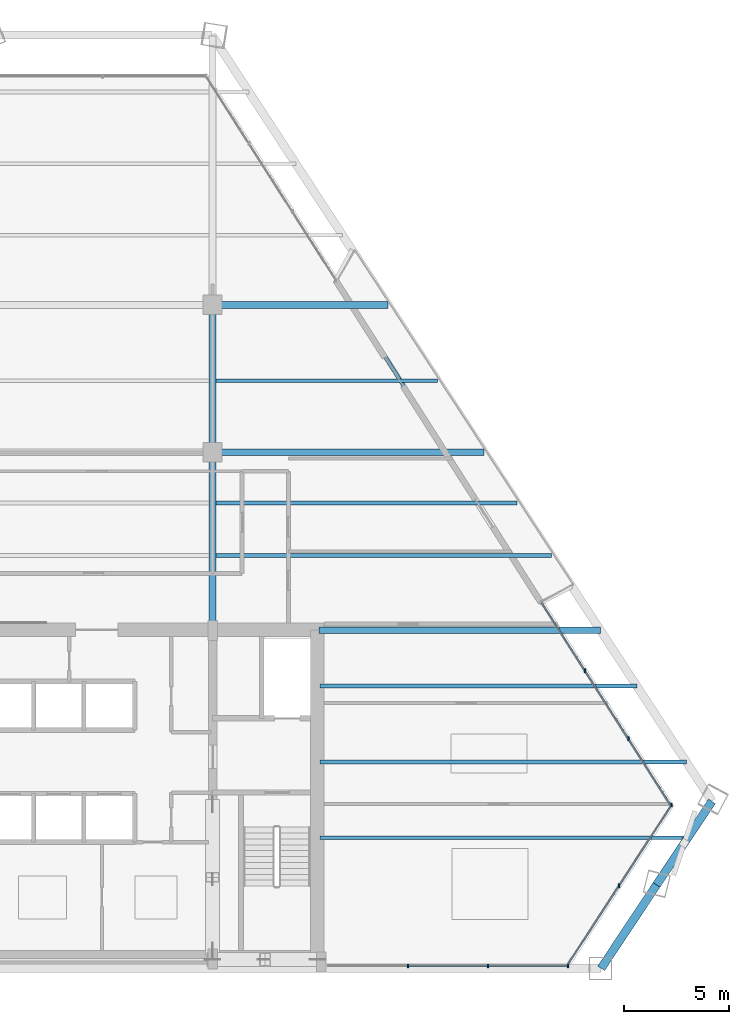
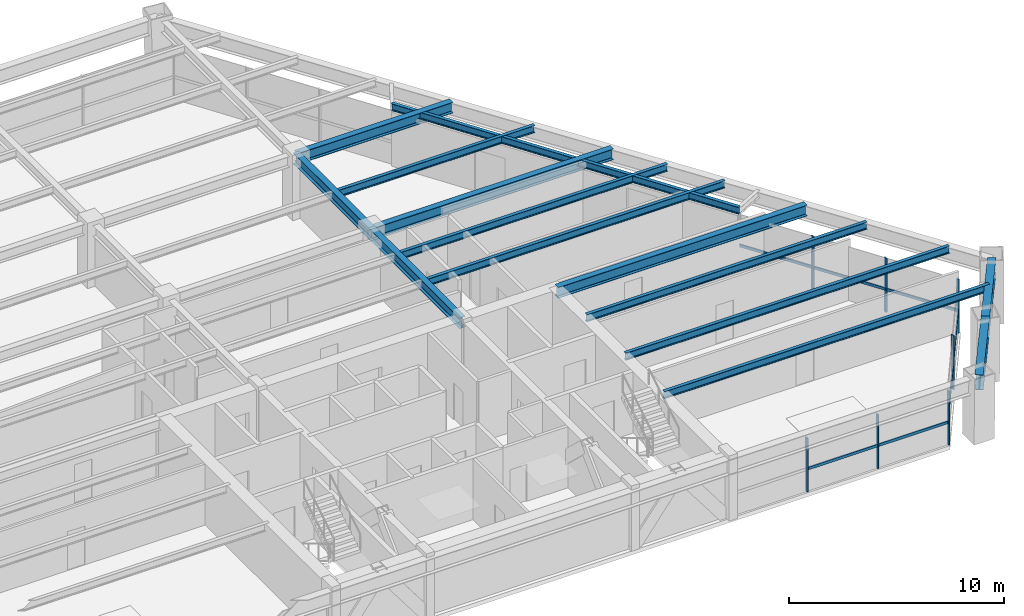
# One storey, part 6 of 15: 14 beams, 14 members, 3 elements without a shape of their own.
"""IFC4 building model written with IfcOpenShell, lengths in metres."""

from ifc_helpers import new_model, si_unit, direction, frame, origin, origin_2d, place, context, subcontext, project, spatial, rectangle, i_section, extrude, source, transform, mapped, material, material_profile, profile_set, type_object, type_shapes, element, aggregate, save


model = new_model("IFC4")

# Units and contexts
model_context = context("Model", 3, precision=1e-05, world=origin(), true_north=direction((0.0, 1.0)))
body_context = subcontext(model_context, "Body", "Model", "MODEL_VIEW")
ifc_project = project(units=[si_unit("LENGTHUNIT", "METRE"), si_unit("AREAUNIT", "SQUARE_METRE"), si_unit("VOLUMEUNIT", "CUBIC_METRE"), si_unit("PLANEANGLEUNIT", "RADIAN"), si_unit("MASSUNIT", "GRAM", prefix="KILO")], contexts=[model_context])

# Site, building, storey
site_placement = place(None, origin())
site = spatial("IfcSite", under=ifc_project, at=site_placement, CompositionType="ELEMENT")
building_placement = place(site_placement, origin())
building = spatial("IfcBuilding", under=site, at=building_placement, Name="Varnakhor Terracotta Tower", CompositionType="ELEMENT")
storey_placement = place(building_placement, frame((0.0, 0.0, 140.39990234375)))
storey = spatial("IfcBuildingStorey", under=building, at=storey_placement, Name="L35", CompositionType="ELEMENT", Elevation=140.39990234375)

# Beams
ifc_material_1 = material(Name="Steel S355", Category="steel")
ifc_material_profile_1 = material_profile(ifc_material_1, i_section(OverallWidth=0.324951171875, OverallDepth=0.615966796875, WebThickness=0.013916015625, FlangeThickness=0.02197265625, FilletRadius=0.01806640625, at=origin_2d()), Name="W24X117")
ifc_profile_set_1 = profile_set([ifc_material_profile_1], Name="Steel S355")
beam_type_1 = type_object("IfcBeamType", Name="BM-W24X117", PredefinedType="BEAM", material=ifc_profile_set_1)
shared_shape_1 = source(origin(), body_context, "Body", "SweptSolid", [
    extrude(i_section(OverallWidth=0.324951171875, OverallDepth=0.615966796875, WebThickness=0.013916015625, FlangeThickness=0.02197265625, FilletRadius=0.01806640625, at=origin_2d()), origin(), (0.0, 0.0, 1.0), 8.449951171875),
])
type_shapes(beam_type_1, [shared_shape_1])
beam_1_placement = place(storey_placement, frame((5.5, 16.050048828125, 3.162109375), z_axis=(0.0, 1.0, 0.0), x_axis=(-1.0, 0.0, 0.0)))
element("IfcBeam", 1, at=beam_1_placement, inside=storey, type_object=beam_type_1, Name="L35 Primary Girder NS1-E", PredefinedType="BEAM", context=body_context, shape_type="MappedRepresentation", body=[
    mapped(shared_shape_1, transform((0.0, 0.0, 0.0), scale=1.0)),
])
shared_shape_2 = source(origin(), body_context, "Body", "SweptSolid", [
    extrude(i_section(OverallWidth=0.324951171875, OverallDepth=0.615966796875, WebThickness=0.013916015625, FlangeThickness=0.02197265625, FilletRadius=0.01806640625, at=origin_2d()), origin(), (0.0, 0.0, 1.0), 7.0),
])
beam_2_placement = place(storey_placement, frame((5.5, 24.5, 3.162109375), z_axis=(0.0, 1.0, 0.0), x_axis=(-1.0, 0.0, 0.0)))
element("IfcBeam", 2, at=beam_2_placement, inside=storey, type_object=beam_type_1, Name="L35 Primary Girder NS2-E", PredefinedType="BEAM", context=body_context, shape_type="MappedRepresentation", body=[
    mapped(shared_shape_2, transform((0.0, 0.0, 0.0), scale=1.0)),
])
ifc_material_profile_2 = material_profile(ifc_material_1, i_section(OverallWidth=0.39990234375, OverallDepth=0.85498046875, WebThickness=0.01806640625, FlangeThickness=0.029052734375, FilletRadius=0.01806640625, at=origin_2d()), Name="W33X201")
ifc_profile_set_2 = profile_set([ifc_material_profile_2], Name="Steel S355")
beam_type_2 = type_object("IfcBeamType", Name="BM-W33X201", PredefinedType="BEAM", material=ifc_profile_set_2)
shared_shape_3 = source(origin(), body_context, "Body", "SweptSolid", [
    extrude(i_section(OverallWidth=0.39990234375, OverallDepth=0.85498046875, WebThickness=0.01806640625, FlangeThickness=0.029052734375, FilletRadius=0.01806640625, at=origin_2d()), origin(), (0.0, 0.0, 1.0), 4.760498046875),
])
for number, where, z_axis, x_axis, name in (
    (3, (23.945068359375, 0.0, 3.04248046875), (0.553042241996, 0.833153214342, 0.0), (-0.833153214342, 0.553042241996, 0.0), "L35 Perimeter Spandrel 2"),
    (4, (26.577880859375, 3.96630859375, 3.04248046875), (0.55300664227, 0.833176844136, 0.0), (-0.833176844136, 0.55300664227, 0.0), "L35 Perimeter Spandrel 3"),
):
    element("IfcBeam", number, at=place(storey_placement, frame(where, z_axis=z_axis, x_axis=x_axis)), inside=storey, type_object=beam_type_2, Name=name, PredefinedType="BEAM", context=body_context, shape_type="MappedRepresentation", body=[
        mapped(shared_shape_3, transform((0.0, 0.0, 0.0), scale=1.0)),
    ])
ifc_material_profile_3 = material_profile(ifc_material_1, i_section(OverallWidth=0.179931640625, OverallDepth=0.39990234375, WebThickness=0.008544921875, FlangeThickness=0.013427734375, FilletRadius=0.01806640625, at=origin_2d()), Name="IPE400")
ifc_profile_set_3 = profile_set([ifc_material_profile_3], Name="Steel S355")
beam_type_3 = type_object("IfcBeamType", Name="JST-IPE400", PredefinedType="JOIST", material=ifc_profile_set_3)
shared_shape_4 = source(origin(), body_context, "Body", "SweptSolid", [
    extrude(i_section(OverallWidth=0.179931640625, OverallDepth=0.39990234375, WebThickness=0.008544921875, FlangeThickness=0.013427734375, FilletRadius=0.01806640625, at=origin_2d()), origin(), (0.0, 0.0, 1.0), 18.1953125),
])
beam_3_placement = place(storey_placement, frame((21.124755859375, 17.37255859375, 3.27001953125), z_axis=(-0.537170652274, 0.843473586033, 0.0), x_axis=(-0.843473586033, -0.537170652274, 0.0)))
element("IfcBeam", 5, at=beam_3_placement, inside=storey, type_object=beam_type_3, Name="L35 Loggia Edge Beam 1", PredefinedType="JOIST", context=body_context, shape_type="MappedRepresentation", body=[
    mapped(shared_shape_4, transform((0.0, 0.0, 0.0), scale=1.0)),
])
shared_shape_5 = source(origin(), body_context, "Body", "SweptSolid", [
    extrude(i_section(OverallWidth=0.324951171875, OverallDepth=0.615966796875, WebThickness=0.013916015625, FlangeThickness=0.02197265625, FilletRadius=0.01806640625, at=origin_2d()), origin(), (0.0, 0.0, 1.0), 13.36181640625),
])
beam_4_placement = place(storey_placement, frame((10.550048828125, 16.050048828125, 3.162109375), z_axis=(1.0, 0.0, 0.0), x_axis=(0.0, 1.0, 0.0)))
element("IfcBeam", 6, at=beam_4_placement, inside=storey, type_object=beam_type_1, Name="L35 Wing Girder E", PredefinedType="BEAM", context=body_context, shape_type="MappedRepresentation", body=[
    mapped(shared_shape_5, transform((0.0, 0.0, 0.0), scale=1.0)),
])
shared_shape_6 = source(origin(), body_context, "Body", "SweptSolid", [
    extrude(i_section(OverallWidth=0.324951171875, OverallDepth=0.615966796875, WebThickness=0.013916015625, FlangeThickness=0.02197265625, FilletRadius=0.01806640625, at=origin_2d()), origin(), (0.0, 0.0, 1.0), 12.89599609375),
])
beam_5_placement = place(storey_placement, frame((5.5, 24.5, 3.162109375), z_axis=(1.0, 0.0, 0.0), x_axis=(0.0, 1.0, 0.0)))
element("IfcBeam", 7, at=beam_5_placement, inside=storey, type_object=beam_type_1, Name="L35 Primary Girder EW2-3", PredefinedType="BEAM", context=body_context, shape_type="MappedRepresentation", body=[
    mapped(shared_shape_6, transform((0.0, 0.0, 0.0), scale=1.0)),
])
shared_shape_7 = source(origin(), body_context, "Body", "SweptSolid", [
    extrude(i_section(OverallWidth=0.324951171875, OverallDepth=0.615966796875, WebThickness=0.013916015625, FlangeThickness=0.02197265625, FilletRadius=0.01806640625, at=origin_2d()), origin(), (0.0, 0.0, 1.0), 8.32666015625),
])
beam_6_placement = place(storey_placement, frame((5.5, 31.5, 3.162109375), z_axis=(1.0, 0.0, 0.0), x_axis=(0.0, 1.0, 0.0)))
element("IfcBeam", 8, at=beam_6_placement, inside=storey, type_object=beam_type_1, Name="L35 Primary Girder EW3-3", PredefinedType="BEAM", context=body_context, shape_type="MappedRepresentation", body=[
    mapped(shared_shape_7, transform((0.0, 0.0, 0.0), scale=1.0)),
])
ifc_material_profile_4 = material_profile(ifc_material_1, i_section(OverallWidth=0.179931640625, OverallDepth=0.4130859375, WebThickness=0.009765625, FlangeThickness=0.01611328125, FilletRadius=0.01806640625, at=origin_2d()), Name="W16X50")
ifc_profile_set_4 = profile_set([ifc_material_profile_4], Name="Steel S355")
beam_type_4 = type_object("IfcBeamType", Name="JST-W16X50", PredefinedType="JOIST", material=ifc_profile_set_4)
shared_shape_8 = source(origin(), body_context, "Body", "SweptSolid", [
    extrude(i_section(OverallWidth=0.179931640625, OverallDepth=0.4130859375, WebThickness=0.009765625, FlangeThickness=0.01611328125, FilletRadius=0.01806640625, at=origin_2d()), origin(), (0.0, 0.0, 1.0), 17.46044921875),
])
beam_7_placement = place(storey_placement, frame((10.60009765625, 6.199951171875, 3.263671875), z_axis=(1.0, 0.0, 0.0), x_axis=(0.0, 1.0, 0.0)))
element("IfcBeam", 9, at=beam_7_placement, inside=storey, type_object=beam_type_4, Name="L35 Floor Joist E1", PredefinedType="JOIST", context=body_context, shape_type="MappedRepresentation", body=[
    mapped(shared_shape_8, transform((0.0, 0.0, 0.0), scale=1.0)),
])
shared_shape_9 = source(origin(), body_context, "Body", "SweptSolid", [
    extrude(i_section(OverallWidth=0.179931640625, OverallDepth=0.4130859375, WebThickness=0.009765625, FlangeThickness=0.01611328125, FilletRadius=0.01806640625, at=origin_2d()), origin(), (0.0, 0.0, 1.0), 17.391357421875),
])
beam_8_placement = place(storey_placement, frame((10.60009765625, 9.800048828125, 3.263671875), z_axis=(1.0, 0.0, 0.0), x_axis=(0.0, 1.0, 0.0)))
element("IfcBeam", 10, at=beam_8_placement, inside=storey, type_object=beam_type_4, Name="L35 Floor Joist E2", PredefinedType="JOIST", context=body_context, shape_type="MappedRepresentation", body=[
    mapped(shared_shape_9, transform((0.0, 0.0, 0.0), scale=1.0)),
])
shared_shape_10 = source(origin(), body_context, "Body", "SweptSolid", [
    extrude(i_section(OverallWidth=0.179931640625, OverallDepth=0.4130859375, WebThickness=0.009765625, FlangeThickness=0.01611328125, FilletRadius=0.01806640625, at=origin_2d()), origin(), (0.0, 0.0, 1.0), 15.04150390625),
])
beam_9_placement = place(storey_placement, frame((10.60009765625, 13.39990234375, 3.263671875), z_axis=(1.0, 0.0, 0.0), x_axis=(0.0, 1.0, 0.0)))
element("IfcBeam", 11, at=beam_9_placement, inside=storey, type_object=beam_type_4, Name="L35 Floor Joist E3", PredefinedType="JOIST", context=body_context, shape_type="MappedRepresentation", body=[
    mapped(shared_shape_10, transform((0.0, 0.0, 0.0), scale=1.0)),
])
shared_shape_11 = source(origin(), body_context, "Body", "SweptSolid", [
    extrude(i_section(OverallWidth=0.179931640625, OverallDepth=0.4130859375, WebThickness=0.009765625, FlangeThickness=0.01611328125, FilletRadius=0.01806640625, at=origin_2d()), origin(), (0.0, 0.0, 1.0), 15.93603515625),
])
beam_10_placement = place(storey_placement, frame((5.658447265625, 19.60009765625, 3.263671875), z_axis=(1.0, 0.0, 0.0), x_axis=(0.0, 1.0, 0.0)))
element("IfcBeam", 12, at=beam_10_placement, inside=storey, type_object=beam_type_4, Name="L35 Composite Floor Joist 4-3", PredefinedType="JOIST", context=body_context, shape_type="MappedRepresentation", body=[
    mapped(shared_shape_11, transform((0.0, 0.0, 0.0), scale=1.0)),
])
shared_shape_12 = source(origin(), body_context, "Body", "SweptSolid", [
    extrude(i_section(OverallWidth=0.179931640625, OverallDepth=0.4130859375, WebThickness=0.009765625, FlangeThickness=0.01611328125, FilletRadius=0.01806640625, at=origin_2d()), origin(), (0.0, 0.0, 1.0), 14.30419921875),
])
beam_11_placement = place(storey_placement, frame((5.658447265625, 22.10009765625, 3.263671875), z_axis=(1.0, 0.0, 0.0), x_axis=(0.0, 1.0, 0.0)))
element("IfcBeam", 13, at=beam_11_placement, inside=storey, type_object=beam_type_4, Name="L35 Composite Floor Joist 5-3", PredefinedType="JOIST", context=body_context, shape_type="MappedRepresentation", body=[
    mapped(shared_shape_12, transform((0.0, 0.0, 0.0), scale=1.0)),
])
shared_shape_13 = source(origin(), body_context, "Body", "SweptSolid", [
    extrude(i_section(OverallWidth=0.179931640625, OverallDepth=0.4130859375, WebThickness=0.009765625, FlangeThickness=0.01611328125, FilletRadius=0.01806640625, at=origin_2d()), origin(), (0.0, 0.0, 1.0), 10.51806640625),
])
beam_12_placement = place(storey_placement, frame((5.658447265625, 27.89990234375, 3.263671875), z_axis=(1.0, 0.0, 0.0), x_axis=(0.0, 1.0, 0.0)))
element("IfcBeam", 14, at=beam_12_placement, inside=storey, type_object=beam_type_4, Name="L35 Composite Floor Joist 6-3", PredefinedType="JOIST", context=body_context, shape_type="MappedRepresentation", body=[
    mapped(shared_shape_13, transform((0.0, 0.0, 0.0), scale=1.0)),
])

# Curtain wall, members
ifc_material_2 = material(Name="Anodised Aluminium Curtain Wall System", Category="aluminium")
curtain_wall_type = type_object("IfcCurtainWallType", Name="CW-SYS-MID-OFFICE", PredefinedType="NOTDEFINED", material=ifc_material_2)
curtain_wall_1_placement = place(storey_placement, origin())
curtain_wall_1 = element("IfcCurtainWall", 15, at=curtain_wall_1_placement, inside=storey, type_object=curtain_wall_type, Name="L35 E Facet Curtain Wall 2", PredefinedType="NOTDEFINED")
ifc_material_3 = material(Name="Anodised Aluminium 6063-T6", Category="aluminium")
ifc_material_profile_5 = material_profile(ifc_material_3, rectangle(XDim=0.070068359375, YDim=0.175048828125, at=origin_2d()), Name="ALU MULLION 70x175")
ifc_profile_set_5 = profile_set([ifc_material_profile_5], Name="Anodised Aluminium 6063-T6")
member_type_1 = type_object("IfcMemberType", Name="CWM-03", PredefinedType="MULLION", material=ifc_profile_set_5)
shared_shape_14 = source(origin(), body_context, "Body", "SweptSolid", [
    extrude(rectangle(XDim=0.070068359375, YDim=0.175048828125, at=origin_2d()), origin(), (0.0, 0.0, 1.0), 3.050048828125),
])
member_1_placement = place(storey_placement, frame((23.178955078125, 14.129638671875, 0.0), z_axis=(0.0, 0.0, 1.0), x_axis=(1.0, 0.0, 0.0)))
member_1 = element("IfcMember", 16, at=member_1_placement, type_object=member_type_1, Name="L35 E Facet Curtain Wall 2 Mullion 2", PredefinedType="MULLION", context=body_context, shape_type="MappedRepresentation", body=[
    mapped(shared_shape_14, transform((0.0, 0.0, 0.0), scale=1.0)),
])
member_2_placement = place(storey_placement, frame((25.2353515625, 10.90283203125, 0.0), z_axis=(0.0, 0.0, 1.0), x_axis=(1.0, 0.0, 0.0)))
member_2 = element("IfcMember", 17, at=member_2_placement, type_object=member_type_1, Name="L35 E Facet Curtain Wall 2 Mullion 3", PredefinedType="MULLION", context=body_context, shape_type="MappedRepresentation", body=[
    mapped(shared_shape_14, transform((0.0, 0.0, 0.0), scale=1.0)),
])

curtain_wall_2_placement = place(storey_placement, origin())
curtain_wall_2 = element("IfcCurtainWall", 18, at=curtain_wall_2_placement, inside=storey, type_object=curtain_wall_type, Name="L35 Facet Curtain Wall 4", PredefinedType="NOTDEFINED")
member_3_placement = place(storey_placement, frame((27.2919921875, 7.75537109375, 0.0), z_axis=(0.0, 0.0, 1.0), x_axis=(1.0, 0.0, 0.0)))
member_3 = element("IfcMember", 19, at=member_3_placement, type_object=member_type_1, Name="L35 Facet Curtain Wall 4 Mullion 1", PredefinedType="MULLION", context=body_context, shape_type="MappedRepresentation", body=[
    mapped(shared_shape_14, transform((0.0, 0.0, 0.0), scale=1.0)),
])
member_4_placement = place(storey_placement, frame((24.79833984375, 3.923095703125, 0.0), z_axis=(0.0, 0.0, 1.0), x_axis=(1.0, 0.0, 0.0)))
member_4 = element("IfcMember", 20, at=member_4_placement, type_object=member_type_1, Name="L35 Facet Curtain Wall 4 Mullion 2", PredefinedType="MULLION", context=body_context, shape_type="MappedRepresentation", body=[
    mapped(shared_shape_14, transform((0.0, 0.0, 0.0), scale=1.0)),
])

curtain_wall_3_placement = place(storey_placement, origin())
curtain_wall_3 = element("IfcCurtainWall", 21, at=curtain_wall_3_placement, inside=storey, type_object=curtain_wall_type, Name="L35 South Wing Curtain Wall SSE", PredefinedType="NOTDEFINED")
member_5_placement = place(storey_placement, frame((22.379150390625, 0.1201171875, 0.0), z_axis=(0.0, 0.0, 1.0), x_axis=(1.0, 0.0, 0.0)))
member_5 = element("IfcMember", 22, at=member_5_placement, type_object=member_type_1, Name="L35 South Wing Curtain Wall SSE Mullion 1", PredefinedType="MULLION", context=body_context, shape_type="MappedRepresentation", body=[
    mapped(shared_shape_14, transform((0.0, 0.0, 0.0), scale=1.0)),
])
member_6_placement = place(storey_placement, frame((18.576171875, 0.1201171875, 0.0), z_axis=(0.0, 0.0, 1.0), x_axis=(1.0, 0.0, 0.0)))
member_6 = element("IfcMember", 23, at=member_6_placement, type_object=member_type_1, Name="L35 South Wing Curtain Wall SSE Mullion 2", PredefinedType="MULLION", context=body_context, shape_type="MappedRepresentation", body=[
    mapped(shared_shape_14, transform((0.0, 0.0, 0.0), scale=1.0)),
])
member_7_placement = place(storey_placement, frame((14.77294921875, 0.1201171875, 0.0), z_axis=(0.0, 0.0, 1.0), x_axis=(1.0, 0.0, 0.0)))
member_7 = element("IfcMember", 24, at=member_7_placement, type_object=member_type_1, Name="L35 South Wing Curtain Wall SSE Mullion 3", PredefinedType="MULLION", context=body_context, shape_type="MappedRepresentation", body=[
    mapped(shared_shape_14, transform((0.0, 0.0, 0.0), scale=1.0)),
])

# Member
ifc_material_profile_6 = material_profile(ifc_material_3, rectangle(XDim=0.070068359375, YDim=0.155029296875, at=origin_2d()), Name="ALU TRANSOM 70x155")
ifc_profile_set_6 = profile_set([ifc_material_profile_6], Name="Anodised Aluminium 6063-T6")
member_type_2 = type_object("IfcMemberType", Name="CWT-03", PredefinedType="USERDEFINED", material=ifc_profile_set_6)
shared_shape_15 = source(origin(), body_context, "Body", "SweptSolid", [
    extrude(rectangle(XDim=0.070068359375, YDim=0.155029296875, at=origin_2d()), origin(), (0.0, 0.0, 1.0), 3.826171875),
])
member_8_placement = place(storey_placement, frame((21.122802734375, 17.3564453125, 1.281005859375), z_axis=(0.537383224218, -0.843338170801, 0.0), x_axis=(0.843338170801, 0.537383224218, 0.0)))
member_8 = element("IfcMember", 25, at=member_8_placement, type_object=member_type_2, Name="L35 E Facet Curtain Wall 2 Transom 1", ObjectType="TRANSOM", PredefinedType="USERDEFINED", context=body_context, shape_type="MappedRepresentation", body=[
    mapped(shared_shape_15, transform((0.0, 0.0, 0.0), scale=1.0)),
])

shared_shape_16 = source(origin(), body_context, "Body", "SweptSolid", [
    extrude(rectangle(XDim=0.070068359375, YDim=0.155029296875, at=origin_2d()), origin(), (0.0, 0.0, 1.0), 3.826416015625),
])
member_9_placement = place(storey_placement, frame((23.178955078125, 14.129638671875, 1.281005859375), z_axis=(0.537428602708, -0.843309253472, 0.0), x_axis=(0.843309253472, 0.537428602708, 0.0)))
member_9 = element("IfcMember", 26, at=member_9_placement, type_object=member_type_2, Name="L35 E Facet Curtain Wall 2 Transom 2", ObjectType="TRANSOM", PredefinedType="USERDEFINED", context=body_context, shape_type="MappedRepresentation", body=[
    mapped(shared_shape_16, transform((0.0, 0.0, 0.0), scale=1.0)),
])

member_10_placement = place(storey_placement, frame((25.2353515625, 10.90283203125, 1.281005859375), z_axis=(0.537354308358, -0.843356595569, 0.0), x_axis=(0.843356595569, 0.537354308358, 0.0)))
member_10 = element("IfcMember", 27, at=member_10_placement, type_object=member_type_2, Name="L35 E Facet Curtain Wall 2 Transom 3", ObjectType="TRANSOM", PredefinedType="USERDEFINED", context=body_context, shape_type="MappedRepresentation", body=[
    mapped(shared_shape_16, transform((0.0, 0.0, 0.0), scale=1.0)),
])

aggregate(curtain_wall_1, [member_8, member_1, member_9, member_2, member_10])

shared_shape_17 = source(origin(), body_context, "Body", "SweptSolid", [
    extrude(rectangle(XDim=0.070068359375, YDim=0.155029296875, at=origin_2d()), origin(), (0.0, 0.0, 1.0), 4.572265625),
])
member_11_placement = place(storey_placement, frame((27.2919921875, 7.75537109375, 1.281005859375), z_axis=(-0.545399321791, -0.838176341703, 0.0), x_axis=(0.838176341703, -0.545399321791, 0.0)))
member_11 = element("IfcMember", 28, at=member_11_placement, type_object=member_type_2, Name="L35 Facet Curtain Wall 4 Transom 1", ObjectType="TRANSOM", PredefinedType="USERDEFINED", context=body_context, shape_type="MappedRepresentation", body=[
    mapped(shared_shape_17, transform((0.0, 0.0, 0.0), scale=1.0)),
])

member_12_placement = place(storey_placement, frame((24.79833984375, 3.923095703125, 1.281005859375), z_axis=(-0.545337397549, -0.838216632402, 0.0), x_axis=(0.838216632402, -0.545337397549, 0.0)))
member_12 = element("IfcMember", 29, at=member_12_placement, type_object=member_type_2, Name="L35 Facet Curtain Wall 4 Transom 2", ObjectType="TRANSOM", PredefinedType="USERDEFINED", context=body_context, shape_type="MappedRepresentation", body=[
    mapped(shared_shape_17, transform((0.0, 0.0, 0.0), scale=1.0)),
])

aggregate(curtain_wall_2, [member_3, member_11, member_4, member_12])

shared_shape_18 = source(origin(), body_context, "Body", "SweptSolid", [
    extrude(rectangle(XDim=0.070068359375, YDim=0.155029296875, at=origin_2d()), origin(), (0.0, 0.0, 1.0), 3.802978515625),
])
member_13_placement = place(storey_placement, frame((22.379150390625, 0.1201171875, 1.281005859375), z_axis=(-1.0, 0.0, 0.0), x_axis=(0.0, -1.0, 0.0)))
member_13 = element("IfcMember", 30, at=member_13_placement, type_object=member_type_2, Name="L35 South Wing Curtain Wall SSE Transom 1", ObjectType="TRANSOM", PredefinedType="USERDEFINED", context=body_context, shape_type="MappedRepresentation", body=[
    mapped(shared_shape_18, transform((0.0, 0.0, 0.0), scale=1.0)),
])

shared_shape_19 = source(origin(), body_context, "Body", "SweptSolid", [
    extrude(rectangle(XDim=0.070068359375, YDim=0.155029296875, at=origin_2d()), origin(), (0.0, 0.0, 1.0), 3.80322265625),
])
member_14_placement = place(storey_placement, frame((18.576171875, 0.1201171875, 1.281005859375), z_axis=(-1.0, 0.0, 0.0), x_axis=(0.0, -1.0, 0.0)))
member_14 = element("IfcMember", 31, at=member_14_placement, type_object=member_type_2, Name="L35 South Wing Curtain Wall SSE Transom 2", ObjectType="TRANSOM", PredefinedType="USERDEFINED", context=body_context, shape_type="MappedRepresentation", body=[
    mapped(shared_shape_19, transform((0.0, 0.0, 0.0), scale=1.0)),
])

aggregate(curtain_wall_3, [member_5, member_13, member_6, member_14, member_7])

save(model, "model.ifc")
